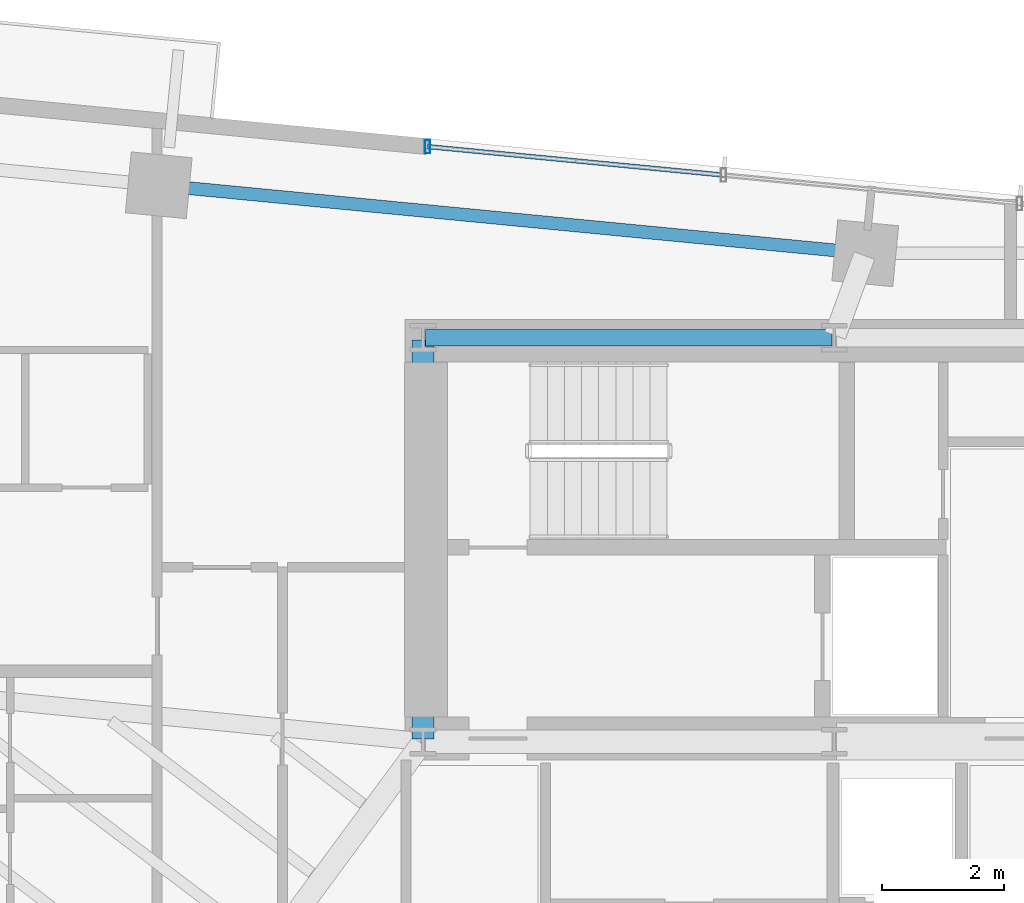
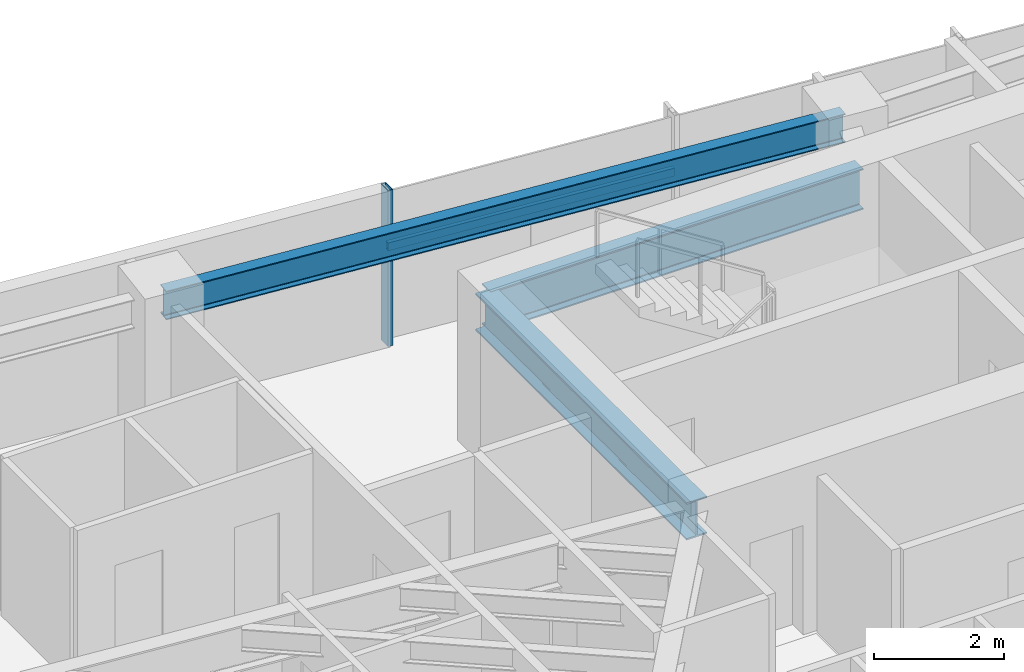
# One storey, part 7 of 20: 3 beams, 2 members, 1 element without a shape of its own.
"""IFC4 building model written with IfcOpenShell, lengths in metres."""

from ifc_helpers import new_model, si_unit, direction, frame, origin, origin_2d, place, context, subcontext, project, spatial, hollow_rectangle, i_section, extrude, source, transform, mapped, material, material_profile, profile_set, type_object, type_shapes, element, aggregate, save


model = new_model("IFC4")

# Units and contexts
model_context = context("Model", 3, precision=1e-05, world=origin(), true_north=direction((0.0, 1.0)))
body_context = subcontext(model_context, "Body", "Model", "MODEL_VIEW")
ifc_project = project(units=[si_unit("LENGTHUNIT", "METRE"), si_unit("AREAUNIT", "SQUARE_METRE"), si_unit("VOLUMEUNIT", "CUBIC_METRE"), si_unit("PLANEANGLEUNIT", "RADIAN"), si_unit("MASSUNIT", "GRAM", prefix="KILO")], contexts=[model_context])

# Site, building, storey
site_placement = place(None, origin())
site = spatial("IfcSite", under=ifc_project, at=site_placement, CompositionType="ELEMENT")
building_placement = place(site_placement, origin())
building = spatial("IfcBuilding", under=site, at=building_placement, Name="Astriad Promenade Condominiums", CompositionType="ELEMENT")
storey_placement = place(building_placement, frame((0.0, 0.0, 156.60009765625)))
storey = spatial("IfcBuildingStorey", under=building, at=storey_placement, Name="L45", CompositionType="ELEMENT", Elevation=156.60009765625)

# Beams
ifc_material_1 = material(Name="Steel ASTM A992 Grade 50", Category="steel")
ifc_material_profile_1 = material_profile(ifc_material_1, i_section(OverallWidth=0.267822265625, OverallDepth=0.76953125, WebThickness=0.015625, FlangeThickness=0.025390625, FilletRadius=0.021484375, at=origin_2d()), Name="W30X132")
ifc_profile_set_1 = profile_set([ifc_material_profile_1], Name="Steel ASTM A992 Grade 50")
beam_type_1 = type_object("IfcBeamType", Name="STEEL FLOOR GIRDER W30X132", PredefinedType="BEAM", material=ifc_profile_set_1)
shared_shape_1 = source(origin(), body_context, "Body", "SweptSolid", [
    extrude(i_section(OverallWidth=0.267822265625, OverallDepth=0.76953125, WebThickness=0.015625, FlangeThickness=0.025390625, FilletRadius=0.021484375, at=origin_2d()), origin(), (0.0, 0.0, 1.0), 6.64013671875),
])
type_shapes(beam_type_1, [shared_shape_1])
beam_1_placement = place(storey_placement, frame((26.43994140625, 24.0, 2.55517578125), z_axis=(1.0, 0.0, 0.0), x_axis=(0.0, 1.0, 0.0)))
element("IfcBeam", 1, at=beam_1_placement, inside=storey, type_object=beam_type_1, Name="Core Ring Beam CG-N1-L45", PredefinedType="BEAM", context=body_context, shape_type="MappedRepresentation", body=[
    mapped(shared_shape_1, transform((0.0, 0.0, 0.0), scale=1.0)),
])
ifc_material_profile_2 = material_profile(ifc_material_1, i_section(OverallWidth=0.35791015625, OverallDepth=0.706298828125, WebThickness=0.018310546875, FlangeThickness=0.0302734375, FilletRadius=0.020263671875, at=origin_2d()), Name="W27X178")
ifc_profile_set_2 = profile_set([ifc_material_profile_2], Name="Steel ASTM A992 Grade 50")
beam_type_2 = type_object("IfcBeamType", Name="STEEL FLOOR GIRDER W27X178", PredefinedType="BEAM", material=ifc_profile_set_2)
shared_shape_2 = source(origin(), body_context, "Body", "SweptSolid", [
    extrude(i_section(OverallWidth=0.35791015625, OverallDepth=0.706298828125, WebThickness=0.018310546875, FlangeThickness=0.0302734375, FilletRadius=0.020263671875, at=origin_2d()), origin(), (0.0, 0.0, 1.0), 6.52001953125),
])
type_shapes(beam_type_2, [shared_shape_2])
beam_2_placement = place(storey_placement, frame((26.39990234375, 17.43994140625, 2.586669921875), z_axis=(0.0, 1.0, 0.0), x_axis=(-1.0, 0.0, 0.0)))
element("IfcBeam", 2, at=beam_2_placement, inside=storey, type_object=beam_type_2, Name="Core Ring Beam CG-W1-L45", PredefinedType="BEAM", context=body_context, shape_type="MappedRepresentation", body=[
    mapped(shared_shape_2, transform((0.0, 0.0, 0.0), scale=1.0)),
])
ifc_material_profile_3 = material_profile(ifc_material_1, i_section(OverallWidth=0.210693359375, OverallDepth=0.53955078125, WebThickness=0.01171875, FlangeThickness=0.018798828125, FilletRadius=0.0166015625, at=origin_2d()), Name="W21X73")
ifc_profile_set_3 = profile_set([ifc_material_profile_3], Name="Steel ASTM A992 Grade 50")
beam_type_3 = type_object("IfcBeamType", Name="STEEL SPANDREL BEAM W21X73", PredefinedType="SPANDREL", material=ifc_profile_set_3)
shared_shape_3 = source(origin(), body_context, "Body", "SweptSolid", [
    extrude(i_section(OverallWidth=0.210693359375, OverallDepth=0.53955078125, WebThickness=0.01171875, FlangeThickness=0.018798828125, FilletRadius=0.0166015625, at=origin_2d()), origin(), (0.0, 0.0, 1.0), 11.52001953125),
])
type_shapes(beam_type_3, [shared_shape_3])
beam_3_placement = place(storey_placement, frame((33.58642578125, 25.384033203125, 2.670166015625), z_axis=(-0.9953953902, 0.095854145285, 0.0), x_axis=(-0.095854145285, -0.9953953902, 0.0)))
element("IfcBeam", 3, at=beam_3_placement, inside=storey, type_object=beam_type_3, Name="Perimeter Spandrel Beam SP-N2-L45", PredefinedType="SPANDREL", context=body_context, shape_type="MappedRepresentation", body=[
    mapped(shared_shape_3, transform((0.0, 0.0, 0.0), scale=1.0)),
])

# Curtain wall, members
ifc_material_2 = material(Name="Anodised aluminium Black Dark Glass Unitised", Category="aluminium")
curtain_wall_type = type_object("IfcCurtainWallType", Name="CW-B34-DARK", PredefinedType="USERDEFINED", material=ifc_material_2)
curtain_wall_placement = place(storey_placement, origin())
curtain_wall = element("IfcCurtainWall", 4, at=curtain_wall_placement, inside=storey, type_object=curtain_wall_type, Name="CW-L45-N", ObjectType="UNITISED_CURTAIN_WALL", PredefinedType="USERDEFINED")
ifc_material_3 = material(Name="Anodised aluminium 6063-T6 Black", Category="aluminium")
ifc_material_profile_4 = material_profile(ifc_material_3, hollow_rectangle(XDim=0.0849609375, YDim=0.219970703125, WallThickness=0.0048828125, at=origin_2d()), Name="ALU-MUL-85X220")
ifc_profile_set_4 = profile_set([ifc_material_profile_4], Name="Anodised aluminium 6063-T6 Black")
member_type_1 = type_object("IfcMemberType", Name="MUL-ALU-MUL-85X220", PredefinedType="MULLION", material=ifc_profile_set_4)
shared_shape_4 = source(origin(), body_context, "Body", "SweptSolid", [
    extrude(hollow_rectangle(XDim=0.0849609375, YDim=0.219970703125, WallThickness=0.0048828125, at=origin_2d()), origin(), (0.0, 0.0, 1.0), 2.93994140625),
])
type_shapes(member_type_1, [shared_shape_4])
member_1_placement = place(storey_placement, frame((26.470458984375, 27.124267578125, 0.0), z_axis=(0.0, 0.0, 1.0), x_axis=(1.0, 0.0, 0.0)))
member_1 = element("IfcMember", 5, at=member_1_placement, type_object=member_type_1, Name="CW-L45-N-MUL-00", PredefinedType="MULLION", context=body_context, shape_type="MappedRepresentation", body=[
    mapped(shared_shape_4, transform((0.0, 0.0, 0.0), scale=1.0)),
])
ifc_material_profile_5 = material_profile(ifc_material_3, hollow_rectangle(XDim=0.074951171875, YDim=0.14990234375, WallThickness=0.004150390625, at=origin_2d()), Name="ALU-TRN-75X150")
ifc_profile_set_5 = profile_set([ifc_material_profile_5], Name="Anodised aluminium 6063-T6 Black")
member_type_2 = type_object("IfcMemberType", Name="TRN-ALU-TRN-75X150", PredefinedType="USERDEFINED", material=ifc_profile_set_5)
shared_shape_5 = source(origin(), body_context, "Body", "SweptSolid", [
    extrude(hollow_rectangle(XDim=0.074951171875, YDim=0.14990234375, WallThickness=0.004150390625, at=origin_2d()), origin(), (0.0, 0.0, 1.0), 4.860107421875),
])
type_shapes(member_type_2, [shared_shape_5])
member_2_placement = place(storey_placement, frame((26.470458984375, 27.124267578125, 1.82275390625), z_axis=(0.995396042559, -0.095847370639, 0.0), x_axis=(0.095847370639, 0.995396042559, 0.0)))
member_2 = element("IfcMember", 6, at=member_2_placement, type_object=member_type_2, Name="CW-L45-N-TRN-00-0", ObjectType="TRANSOM", PredefinedType="USERDEFINED", context=body_context, shape_type="MappedRepresentation", body=[
    mapped(shared_shape_5, transform((0.0, 0.0, 0.0), scale=1.0)),
])
aggregate(curtain_wall, [member_1, member_2])

save(model, "model.ifc")
